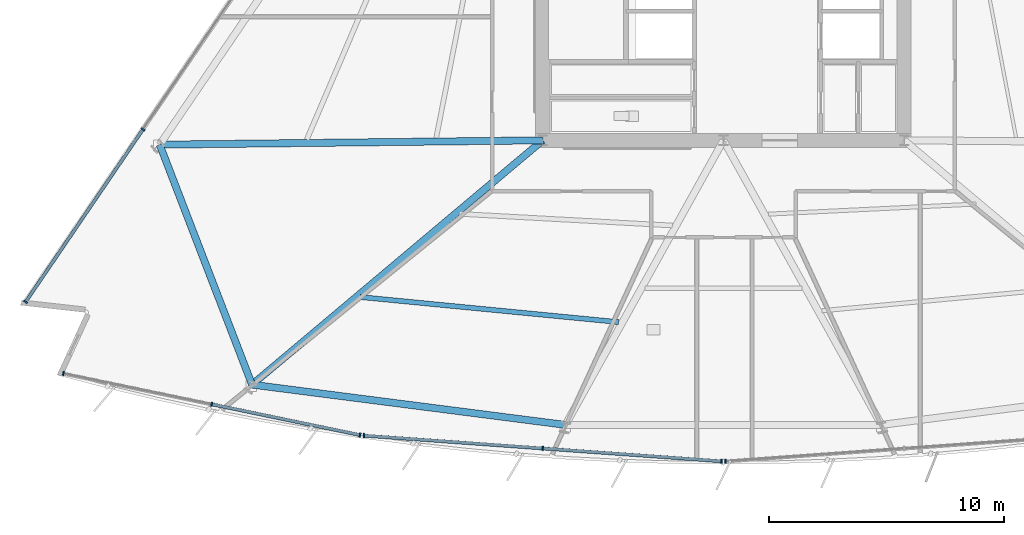
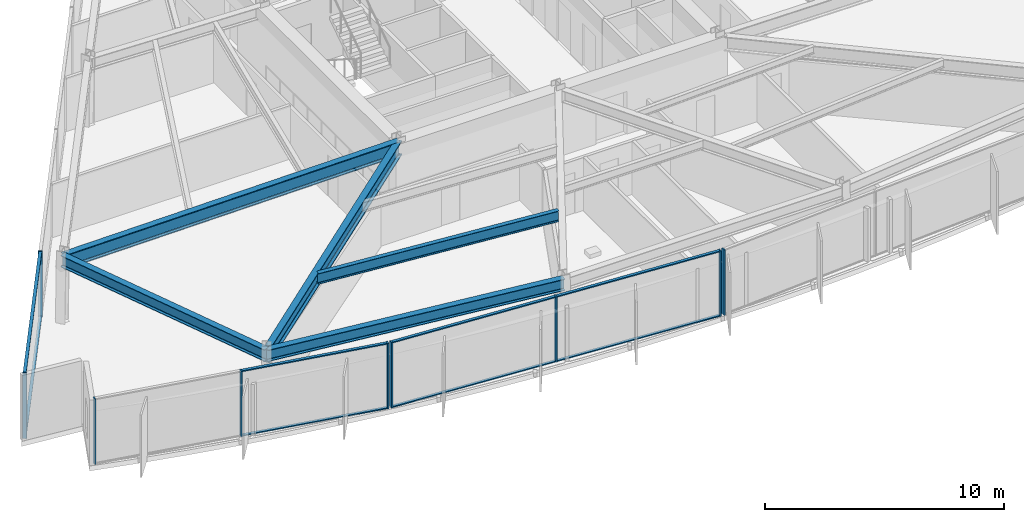
# One storey, part 2 of 18: 17 members, 5 beams, 4 elements without a shape of their own.
"""IFC4 building model written with IfcOpenShell, lengths in metres."""

import ifcopenshell
import ifcopenshell.guid

model = None  # the IFC model being written
_history = None  # IfcOwnerHistory: only IFC2X3 demands one
_inside = {}  # id of a spatial element -> (the spatial element, [elements in it])
_under = {}  # id of a project, library or spatial element -> (it, [spatial elements below it])
_declared = {}  # id of a project -> (the project, [libraries it declares])
_typed = {}  # id of a type object -> (the type object, [elements of that type])
_made_of = {}  # id of a material, layer set ... -> (it, [elements and type objects made of it])


def new_model(schema):
    """Start an empty IFC model of exactly this schema.

    Asked for "IFC4X3", IfcOpenShell would pick the latest addendum, in which some entities
    have other attributes; the version numbers below select the first issue.
    IFC2X3 requires an IfcOwnerHistory on every rooted entity: one is made here for all.
    """
    global model, _history
    if schema == "IFC4X3":
        model = ifcopenshell.file(schema_version=(4, 3, 0, 0))
    else:
        model = ifcopenshell.file(schema=schema)
    _inside.clear()
    _under.clear()
    _declared.clear()
    _typed.clear()
    _made_of.clear()
    _history = None
    if model.schema == "IFC2X3":
        org = make("IfcOrganization", Name="unknown")
        user = make(
            "IfcPersonAndOrganization",
            ThePerson=make("IfcPerson", FamilyName="unknown"),
            TheOrganization=org,
        )
        app = make(
            "IfcApplication",
            ApplicationDeveloper=org,
            Version="unknown",
            ApplicationFullName="unknown",
            ApplicationIdentifier="unknown",
        )
        _history = make(
            "IfcOwnerHistory",
            OwningUser=user,
            OwningApplication=app,
            ChangeAction="ADDED",
            CreationDate=0,
        )
    return model


def make(cls, **values):
    """One entity of the class cls with the attributes given. An attribute that is None is left unset."""
    return model.create_entity(
        cls, **{name: value for name, value in values.items() if value is not None}
    )


def rooted(cls, **values):
    """An entity with a GlobalId (a new one), such as an element, a storey or a relation."""
    return make(cls, GlobalId=ifcopenshell.guid.new(), OwnerHistory=_history, **values)


def si_unit(unit_type, name, prefix=None):
    """IfcSIUnit, for example si_unit("LENGTHUNIT", "METRE", prefix="MILLI")."""
    return make("IfcSIUnit", UnitType=unit_type, Prefix=prefix, Name=name)


def assignment(units):
    """IfcUnitAssignment: the units of a project."""
    return None if units is None else make("IfcUnitAssignment", Units=units)


def point(xyz):
    """IfcCartesianPoint."""
    return None if xyz is None else make("IfcCartesianPoint", Coordinates=xyz)


def direction(xyz):
    """IfcDirection."""
    return None if xyz is None else make("IfcDirection", DirectionRatios=xyz)


def frame(location, z_axis=None, x_axis=None):
    """IfcAxis2Placement3D, a coordinate frame: its origin and axes. An axis left out is left unset."""
    return make(
        "IfcAxis2Placement3D",
        Location=point(location),
        Axis=direction(z_axis),
        RefDirection=direction(x_axis),
    )


def frame_2d(location, x_axis=None):
    """IfcAxis2Placement2D, a coordinate frame in the plane: its origin and x axis."""
    return make(
        "IfcAxis2Placement2D", Location=point(location), RefDirection=direction(x_axis)
    )


def origin():
    """The frame at (0, 0, 0) with its axes left unset."""
    return frame((0.0, 0.0, 0.0))


def origin_2d():
    """The frame at (0, 0) in the plane with its x axis left unset."""
    return frame_2d((0.0, 0.0))


def place(relative_to, where):
    """IfcLocalPlacement: puts the frame where relative to a parent placement (None: the world)."""
    return make(
        "IfcLocalPlacement", PlacementRelTo=relative_to, RelativePlacement=where
    )


def context(
    kind, dimensions, precision=None, world=None, true_north=None, identifier=None
):
    """IfcGeometricRepresentationContext, for example the 3D "Model" context."""
    return make(
        "IfcGeometricRepresentationContext",
        ContextIdentifier=identifier,
        ContextType=kind,
        CoordinateSpaceDimension=dimensions,
        Precision=precision,
        WorldCoordinateSystem=world,
        TrueNorth=true_north,
    )


def subcontext(parent, identifier, kind, view, scale=None):
    """IfcGeometricRepresentationSubContext, for example "Body" below "Model"."""
    return make(
        "IfcGeometricRepresentationSubContext",
        ContextIdentifier=identifier,
        ContextType=kind,
        ParentContext=parent,
        TargetScale=scale,
        TargetView=view,
    )


def project(units=None, contexts=None):
    """IfcProject with its units and contexts."""
    return rooted(
        "IfcProject",
        Name="project",
        RepresentationContexts=contexts,
        UnitsInContext=assignment(units),
    )


def spatial(cls, under=None, at=None, **own):
    """A site, building, storey or space (cls), placed at a placement, below another one or the project."""
    s = rooted(cls, ObjectPlacement=at, **own)
    if under is not None:
        _under.setdefault(under.id(), (under, []))[1].append(s)
    return s


def profile(cls, at=None, kind="AREA", **sizes):
    """A parametric profile (cls). Its sizes go by their IFC names, for example OverallWidth=200.0."""
    return make(cls, ProfileType=kind, Position=at, **sizes)


def rectangle(**sizes):
    """IfcRectangleProfileDef."""
    return profile("IfcRectangleProfileDef", **sizes)


def i_section(**sizes):
    """IfcIShapeProfileDef."""
    return profile("IfcIShapeProfileDef", **sizes)


def extrude(swept, where, along, depth):
    """IfcExtrudedAreaSolid: the profile swept, set in the frame where, extruded along a direction by depth."""
    return make(
        "IfcExtrudedAreaSolid",
        SweptArea=swept,
        Position=where,
        ExtrudedDirection=direction(along),
        Depth=depth,
    )


def shape(context_of_items, identifier, shape_type, items):
    """IfcShapeRepresentation: the items that make up one representation, for example the "Body"."""
    return make(
        "IfcShapeRepresentation",
        ContextOfItems=context_of_items,
        RepresentationIdentifier=identifier,
        RepresentationType=shape_type,
        Items=items,
    )


def material(Name=None, Category=None):
    """IfcMaterial."""
    return make("IfcMaterial", Name=Name, Category=Category)


def material_profile(
    of_material, cross_section, Name=None, Category=None, Priority=None
):
    """IfcMaterialProfile: a cross section and its material."""
    return make(
        "IfcMaterialProfile",
        Name=Name,
        Material=of_material,
        Profile=cross_section,
        Priority=Priority,
        Category=Category,
    )


def profile_set(profiles, Name=None, composite=None):
    """IfcMaterialProfileSet."""
    return make(
        "IfcMaterialProfileSet",
        Name=Name,
        MaterialProfiles=profiles,
        CompositeProfile=composite,
    )


def made_of(thing, what):
    """Note that an element or type object is made of a material, layer set ...; save() writes the relation."""
    if what is not None:
        _made_of.setdefault(what.id(), (what, []))[1].append(thing)
    return thing


def type_object(cls, material=None, **own):
    """A type object (cls), such as IfcWallType, which elements share."""
    return made_of(rooted(cls, **own), material)


def element(
    cls,
    number,
    at=None,
    inside=None,
    cuts=None,
    type_object=None,
    material=None,
    context=None,
    identifier="Body",
    shape_type=None,
    held_by="IfcProductDefinitionShape",
    body=None,
    shapes=None,
    **own,
):
    """One element of the class cls, such as IfcWall. Its Tag is "e" and its number.

    at: its placement. inside: the storey or other place that contains it. cuts: it is an
    opening in that element (IfcRelVoidsElement). A single representation is given by context,
    identifier, shape_type and body (its items); several are given by shapes. held_by: the class
    of the entity that holds the representations. save() writes the other relations.
    """
    e = rooted(cls, Tag="e%d" % number, ObjectPlacement=at, **own)
    if body is not None:
        shapes = [shape(context, identifier, shape_type, body)]
    if shapes is not None:
        e.Representation = make(held_by, Representations=shapes)
    if inside is not None:
        _inside.setdefault(inside.id(), (inside, []))[1].append(e)
    if cuts is not None:
        rooted(
            "IfcRelVoidsElement", RelatingBuildingElement=cuts, RelatedOpeningElement=e
        )
    if type_object is not None:
        _typed.setdefault(type_object.id(), (type_object, []))[1].append(e)
    return made_of(e, material)


def aggregate(whole, parts):
    """IfcRelAggregates: a whole, such as a stair, and the parts it consists of."""
    return rooted("IfcRelAggregates", RelatingObject=whole, RelatedObjects=parts)


def save(model, path):
    """Write the relations noted so far, then the file.

    IfcRelAggregates (storeys below a building ...), IfcRelContainedInSpatialStructure (elements
    in a storey), IfcRelDefinesByType, IfcRelAssociatesMaterial and IfcRelDeclares: one each for
    every whole, place, type object, material and project.
    """
    for whole, parts in _under.values():
        aggregate(whole, parts)
    for where, things in _inside.values():
        rooted(
            "IfcRelContainedInSpatialStructure",
            RelatedElements=things,
            RelatingStructure=where,
        )
    for kind, things in _typed.values():
        rooted("IfcRelDefinesByType", RelatedObjects=things, RelatingType=kind)
    for what, things in _made_of.values():
        rooted("IfcRelAssociatesMaterial", RelatedObjects=things, RelatingMaterial=what)
    for by, libraries in _declared.values():
        rooted("IfcRelDeclares", RelatingContext=by, RelatedDefinitions=libraries)
    model.write(path)


model = new_model("IFC4")

# Units and contexts
model_context = context("Model", 3, precision=1e-05, world=origin(), true_north=direction((0.0, 1.0)))
body_context = subcontext(model_context, "Body", "Model", "MODEL_VIEW")
ifc_project = project(units=[si_unit("LENGTHUNIT", "METRE"), si_unit("AREAUNIT", "SQUARE_METRE"), si_unit("VOLUMEUNIT", "CUBIC_METRE"), si_unit("PLANEANGLEUNIT", "RADIAN"), si_unit("MASSUNIT", "GRAM", prefix="KILO")], contexts=[model_context])

# Site, building, storey
site_placement = place(None, origin())
site = spatial("IfcSite", under=ifc_project, at=site_placement, CompositionType="ELEMENT")
building_placement = place(site_placement, origin())
building = spatial("IfcBuilding", under=site, at=building_placement, Name="Savorim Split Tower", CompositionType="ELEMENT")
storey_placement = place(building_placement, frame((0.0, 0.0, 37.199951171875)))
storey = spatial("IfcBuildingStorey", under=building, at=storey_placement, Name="L09", CompositionType="ELEMENT", Elevation=37.199951171875)

# Beams
ifc_material_1 = material(Name="Steel S355", Category="steel")
ifc_material_profile_1 = material_profile(ifc_material_1, i_section(OverallWidth=0.2099609375, OverallDepth=0.550048828125, WebThickness=0.010986328125, FlangeThickness=0.01708984375, FilletRadius=0.02392578125, at=origin_2d()), Name="IPE 550")
ifc_profile_set_1 = profile_set([ifc_material_profile_1], Name="Steel S355")
beam_type_1 = type_object("IfcBeamType", Name="BM-JST-IPE550", PredefinedType="JOIST", material=ifc_profile_set_1)
beam_1_placement = place(storey_placement, frame((-15.468994140625, -16.078125, 3.074951171875), z_axis=(0.995332302755, -0.096507031308, 0.0), x_axis=(0.096507031308, 0.995332302755, 0.0)))
element("IfcBeam", 1, at=beam_1_placement, inside=storey, type_object=beam_type_1, Name="L09 Secondary Floor Joist JS-01", PredefinedType="JOIST", context=body_context, shape_type="SweptSolid", body=[
    extrude(i_section(OverallWidth=0.2099609375, OverallDepth=0.550048828125, WebThickness=0.010986328125, FlangeThickness=0.01708984375, FilletRadius=0.02392578125, at=origin_2d()), origin(), (0.0, 0.0, 1.0), 11.052490234375),
])
ifc_material_2 = material(Name="Steel S460", Category="steel")
ifc_material_profile_2 = material_profile(ifc_material_2, i_section(OverallWidth=0.303955078125, OverallDepth=0.716064453125, WebThickness=0.02099609375, FlangeThickness=0.0400390625, FilletRadius=0.027099609375, at=origin_2d()), Name="HE 700 M")
ifc_profile_set_2 = profile_set([ifc_material_profile_2], Name="Steel S460")
beam_type_2 = type_object("IfcBeamType", Name="BM-PRI-HEM700", PredefinedType="BEAM", material=ifc_profile_set_2)
beam_2_placement = place(storey_placement, frame((-20.087890625, -19.810546875, 2.991943359375), z_axis=(0.765559503325, 0.643365096092, 0.0), x_axis=(-0.643365096092, 0.765559503325, 0.0)))
element("IfcBeam", 2, at=beam_2_placement, inside=storey, type_object=beam_type_2, Name="L09 Primary Floor Girder RG-01", PredefinedType="BEAM", context=body_context, shape_type="SweptSolid", body=[
    extrude(i_section(OverallWidth=0.303955078125, OverallDepth=0.716064453125, WebThickness=0.02099609375, FlangeThickness=0.0400390625, FilletRadius=0.027099609375, at=origin_2d()), origin(), (0.0, 0.0, 1.0), 16.181640625),
])
beam_3_placement = place(storey_placement, frame((-24.022216796875, -9.583984375, 2.991943359375), z_axis=(0.999936409756, 0.011277253395, 0.0), x_axis=(-0.011277253395, 0.999936409756, 0.0)))
element("IfcBeam", 3, at=beam_3_placement, inside=storey, type_object=beam_type_2, Name="L09 Primary Floor Girder RG-10", PredefinedType="BEAM", context=body_context, shape_type="SweptSolid", body=[
    extrude(i_section(OverallWidth=0.303955078125, OverallDepth=0.716064453125, WebThickness=0.02099609375, FlangeThickness=0.0400390625, FilletRadius=0.027099609375, at=origin_2d()), origin(), (0.0, 0.0, 1.0), 16.3232421875),
])
ifc_material_profile_3 = material_profile(ifc_material_1, i_section(OverallWidth=0.300048828125, OverallDepth=0.590087890625, WebThickness=0.012939453125, FlangeThickness=0.02490234375, FilletRadius=0.027099609375, at=origin_2d()), Name="HEA 600")
ifc_profile_set_3 = profile_set([ifc_material_profile_3], Name="Steel S355")
beam_type_3 = type_object("IfcBeamType", Name="BM-SPN-HEA600", PredefinedType="SPANDREL", material=ifc_profile_set_3)
beam_4_placement = place(storey_placement, frame((-20.087890625, -19.810546875, 3.054931640625), z_axis=(0.991859542537, -0.127336749913, 0.0), x_axis=(0.127336749913, 0.991859542537, 0.0)))
element("IfcBeam", 4, at=beam_4_placement, inside=storey, type_object=beam_type_3, Name="L09 Perimeter Spandrel Beam 1", PredefinedType="SPANDREL", context=body_context, shape_type="SweptSolid", body=[
    extrude(i_section(OverallWidth=0.300048828125, OverallDepth=0.590087890625, WebThickness=0.012939453125, FlangeThickness=0.02490234375, FilletRadius=0.027099609375, at=origin_2d()), origin(), (0.0, 0.0, 1.0), 13.465087890625),
])
beam_5_placement = place(storey_placement, frame((-24.022216796875, -9.583984375, 3.054931640625), z_axis=(0.359061196697, -0.933314018445, 0.0), x_axis=(0.933314018445, 0.359061196697, 0.0)))
element("IfcBeam", 5, at=beam_5_placement, inside=storey, type_object=beam_type_3, Name="L09 Perimeter Spandrel Beam 10", PredefinedType="SPANDREL", context=body_context, shape_type="SweptSolid", body=[
    extrude(i_section(OverallWidth=0.300048828125, OverallDepth=0.590087890625, WebThickness=0.012939453125, FlangeThickness=0.02490234375, FilletRadius=0.027099609375, at=origin_2d()), origin(), (0.0, 0.0, 1.0), 10.957275390625),
])

# Curtain wall, members
ifc_material_3 = material(Name="Dark Ceramic-Fritted Insulated Glass", Category="glass")
curtain_wall_type = type_object("IfcCurtainWallType", Name="CW-TWR-FRIT-A", PredefinedType="NOTDEFINED", material=ifc_material_3)
curtain_wall_1_placement = place(storey_placement, origin())
curtain_wall_1 = element("IfcCurtainWall", 6, at=curtain_wall_1_placement, inside=storey, type_object=curtain_wall_type, Name="L09 Curtain Wall CW-L09-SF1", PredefinedType="NOTDEFINED")
ifc_material_4 = material(Name="Charcoal Anodised Aluminium", Category="aluminium")
ifc_material_profile_4 = material_profile(ifc_material_4, rectangle(XDim=0.179931640625, YDim=0.06494140625, at=origin_2d()), Name="ALU-M 180x65")
ifc_profile_set_4 = profile_set([ifc_material_profile_4], Name="Charcoal Anodised Aluminium")
member_type_1 = type_object("IfcMemberType", Name="CWM-180x65", PredefinedType="MULLION", material=ifc_profile_set_4)
member_1_placement = place(storey_placement, frame((-28.12841796875, -19.333740234375, 0.0), z_axis=(0.0, 0.0, 1.0), x_axis=(0.203210322793, 0.979135110549, 0.0)))
member_1 = element("IfcMember", 7, at=member_1_placement, type_object=member_type_1, Name="CW-02 mullion 1", PredefinedType="MULLION", context=body_context, shape_type="SweptSolid", body=[
    extrude(rectangle(XDim=0.179931640625, YDim=0.06494140625, at=origin_2d()), origin(), (0.0, 0.0, 1.0), 3.35009765625),
])
member_2_placement = place(storey_placement, frame((-21.807861328125, -20.6455078125, 0.0), z_axis=(0.0, 0.0, 1.0), x_axis=(0.203210322793, 0.979135110549, 0.0)))
member_2 = element("IfcMember", 8, at=member_2_placement, type_object=member_type_1, Name="CW-02 mullion 2", PredefinedType="MULLION", context=body_context, shape_type="SweptSolid", body=[
    extrude(rectangle(XDim=0.179931640625, YDim=0.06494140625, at=origin_2d()), origin(), (0.0, 0.0, 1.0), 3.35009765625),
])
member_3_placement = place(storey_placement, frame((-15.487548828125, -21.957275390625, 0.0), z_axis=(0.0, 0.0, 1.0), x_axis=(0.203210322793, 0.979135110549, 0.0)))
member_3 = element("IfcMember", 9, at=member_3_placement, type_object=member_type_1, Name="CW-02 mullion 3", PredefinedType="MULLION", context=body_context, shape_type="SweptSolid", body=[
    extrude(rectangle(XDim=0.179931640625, YDim=0.06494140625, at=origin_2d()), origin(), (0.0, 0.0, 1.0), 3.35009765625),
])

curtain_wall_2_placement = place(storey_placement, origin())
curtain_wall_2 = element("IfcCurtainWall", 10, at=curtain_wall_2_placement, inside=storey, type_object=curtain_wall_type, Name="L09 Curtain Wall CW-L09-SF2", PredefinedType="NOTDEFINED")
member_4_placement = place(storey_placement, frame((-15.320556640625, -21.98046875, 0.0), z_axis=(0.0, 0.0, 1.0), x_axis=(0.071560199658, 0.997436282589, 0.0)))
member_4 = element("IfcMember", 11, at=member_4_placement, type_object=member_type_1, Name="CW-02 mullion 1", PredefinedType="MULLION", context=body_context, shape_type="SweptSolid", body=[
    extrude(rectangle(XDim=0.179931640625, YDim=0.06494140625, at=origin_2d()), origin(), (0.0, 0.0, 1.0), 3.35009765625),
])
member_5_placement = place(storey_placement, frame((-7.7021484375, -22.527099609375, 0.0), z_axis=(0.0, 0.0, 1.0), x_axis=(0.071560199658, 0.997436282589, 0.0)))
member_5 = element("IfcMember", 12, at=member_5_placement, type_object=member_type_1, Name="CW-02 mullion 2", PredefinedType="MULLION", context=body_context, shape_type="SweptSolid", body=[
    extrude(rectangle(XDim=0.179931640625, YDim=0.06494140625, at=origin_2d()), origin(), (0.0, 0.0, 1.0), 3.35009765625),
])
member_6_placement = place(storey_placement, frame((-0.083740234375, -23.07373046875, 0.0), z_axis=(0.0, 0.0, 1.0), x_axis=(0.071560199658, 0.997436282589, 0.0)))
member_6 = element("IfcMember", 13, at=member_6_placement, type_object=member_type_1, Name="CW-02 mullion 3", PredefinedType="MULLION", context=body_context, shape_type="SweptSolid", body=[
    extrude(rectangle(XDim=0.179931640625, YDim=0.06494140625, at=origin_2d()), origin(), (0.0, 0.0, 1.0), 3.35009765625),
])

# Curtain wall, member
curtain_wall_3_placement = place(storey_placement, origin())
curtain_wall_3 = element("IfcCurtainWall", 14, at=curtain_wall_3_placement, inside=storey, type_object=curtain_wall_type, Name="L09 Curtain Wall CW-L09-SF3", PredefinedType="NOTDEFINED")
member_7_placement = place(storey_placement, frame((0.083740234375, -23.07373046875, 0.0), z_axis=(0.0, 0.0, 1.0), x_axis=(-0.071560199658, 0.997436282589, 0.0)))
member_7 = element("IfcMember", 15, at=member_7_placement, type_object=member_type_1, Name="CW-02 mullion 1", PredefinedType="MULLION", context=body_context, shape_type="SweptSolid", body=[
    extrude(rectangle(XDim=0.179931640625, YDim=0.06494140625, at=origin_2d()), origin(), (0.0, 0.0, 1.0), 3.35009765625),
])
aggregate(curtain_wall_3, [member_7])

# Curtain wall, members
curtain_wall_4_placement = place(storey_placement, origin())
curtain_wall_4 = element("IfcCurtainWall", 16, at=curtain_wall_4_placement, inside=storey, type_object=curtain_wall_type, Name="L09 Curtain Wall CW-L09-WEST", PredefinedType="NOTDEFINED")
member_8_placement = place(storey_placement, frame((-24.735107421875, -8.93408203125, 0.0), z_axis=(0.0, 0.0, 1.0), x_axis=(0.826820923165, -0.562465253164, 0.0)))
member_8 = element("IfcMember", 17, at=member_8_placement, type_object=member_type_1, Name="CW-02 mullion 4", PredefinedType="MULLION", context=body_context, shape_type="SweptSolid", body=[
    extrude(rectangle(XDim=0.179931640625, YDim=0.06494140625, at=origin_2d()), origin(), (0.0, 0.0, 1.0), 3.35009765625),
])
member_9_placement = place(storey_placement, frame((-29.73388671875, -16.2822265625, 0.0), z_axis=(0.0, 0.0, 1.0), x_axis=(0.826820923165, -0.562465253164, 0.0)))
member_9 = element("IfcMember", 18, at=member_9_placement, type_object=member_type_1, Name="CW-02 mullion 5", PredefinedType="MULLION", context=body_context, shape_type="SweptSolid", body=[
    extrude(rectangle(XDim=0.179931640625, YDim=0.06494140625, at=origin_2d()), origin(), (0.0, 0.0, 1.0), 3.35009765625),
])

# Member
ifc_material_profile_5 = material_profile(ifc_material_4, rectangle(XDim=0.139892578125, YDim=0.054931640625, at=origin_2d()), Name="ALU-T 140x55")
ifc_profile_set_5 = profile_set([ifc_material_profile_5], Name="Charcoal Anodised Aluminium")
member_type_2 = type_object("IfcMemberType", Name="CWT-140x55", PredefinedType="USERDEFINED", material=ifc_profile_set_5)
member_10_placement = place(storey_placement, frame((-21.776123046875, -20.652099609375, 0.027587890625), z_axis=(0.979133980901, -0.203215765741, 0.0), x_axis=(0.203215765741, 0.979133980901, 0.0)))
member_10 = element("IfcMember", 19, at=member_10_placement, type_object=member_type_2, Name="CW-02 transom 2.1", ObjectType="TRANSOM", PredefinedType="USERDEFINED", context=body_context, shape_type="SweptSolid", body=[
    extrude(rectangle(XDim=0.139892578125, YDim=0.054931640625, at=origin_2d()), origin(), (0.0, 0.0, 1.0), 6.39013671875),
])

member_11_placement = place(storey_placement, frame((-21.776123046875, -20.652099609375, 3.322509765625), z_axis=(0.979133980901, -0.203215765741, 0.0), x_axis=(0.203215765741, 0.979133980901, 0.0)))
member_11 = element("IfcMember", 20, at=member_11_placement, type_object=member_type_2, Name="CW-02 transom 2.2", ObjectType="TRANSOM", PredefinedType="USERDEFINED", context=body_context, shape_type="SweptSolid", body=[
    extrude(rectangle(XDim=0.139892578125, YDim=0.054931640625, at=origin_2d()), origin(), (0.0, 0.0, 1.0), 6.39013671875),
])

aggregate(curtain_wall_1, [member_1, member_2, member_3, member_10, member_11])

member_12_placement = place(storey_placement, frame((-15.2880859375, -21.98291015625, 0.027587890625), z_axis=(0.997437873969, -0.071538014879, 0.0), x_axis=(0.071538014879, 0.997437873969, 0.0)))
member_12 = element("IfcMember", 21, at=member_12_placement, type_object=member_type_2, Name="CW-02 transom 1.1", ObjectType="TRANSOM", PredefinedType="USERDEFINED", context=body_context, shape_type="SweptSolid", body=[
    extrude(rectangle(XDim=0.139892578125, YDim=0.054931640625, at=origin_2d()), origin(), (0.0, 0.0, 1.0), 7.57275390625),
])

member_13_placement = place(storey_placement, frame((-15.2880859375, -21.98291015625, 3.322509765625), z_axis=(0.997437873969, -0.071538014879, 0.0), x_axis=(0.071538014879, 0.997437873969, 0.0)))
member_13 = element("IfcMember", 22, at=member_13_placement, type_object=member_type_2, Name="CW-02 transom 1.2", ObjectType="TRANSOM", PredefinedType="USERDEFINED", context=body_context, shape_type="SweptSolid", body=[
    extrude(rectangle(XDim=0.139892578125, YDim=0.054931640625, at=origin_2d()), origin(), (0.0, 0.0, 1.0), 7.57275390625),
])

member_14_placement = place(storey_placement, frame((-7.669677734375, -22.529541015625, 0.027587890625), z_axis=(0.997437873969, -0.071538014879, 0.0), x_axis=(0.071538014879, 0.997437873969, 0.0)))
member_14 = element("IfcMember", 23, at=member_14_placement, type_object=member_type_2, Name="CW-02 transom 2.1", ObjectType="TRANSOM", PredefinedType="USERDEFINED", context=body_context, shape_type="SweptSolid", body=[
    extrude(rectangle(XDim=0.139892578125, YDim=0.054931640625, at=origin_2d()), origin(), (0.0, 0.0, 1.0), 7.57275390625),
])

member_15_placement = place(storey_placement, frame((-7.669677734375, -22.529541015625, 3.322509765625), z_axis=(0.997437873969, -0.071538014879, 0.0), x_axis=(0.071538014879, 0.997437873969, 0.0)))
member_15 = element("IfcMember", 24, at=member_15_placement, type_object=member_type_2, Name="CW-02 transom 2.2", ObjectType="TRANSOM", PredefinedType="USERDEFINED", context=body_context, shape_type="SweptSolid", body=[
    extrude(rectangle(XDim=0.139892578125, YDim=0.054931640625, at=origin_2d()), origin(), (0.0, 0.0, 1.0), 7.57275390625),
])

aggregate(curtain_wall_2, [member_4, member_5, member_6, member_12, member_13, member_14, member_15])

member_16_placement = place(storey_placement, frame((-24.75341796875, -8.9609375, 0.027587890625), z_axis=(-0.562460641037, -0.826824060659, 0.0), x_axis=(0.826824060659, -0.562460641037, 0.0)))
member_16 = element("IfcMember", 25, at=member_16_placement, type_object=member_type_2, Name="CW-02 transom 4.1", ObjectType="TRANSOM", PredefinedType="USERDEFINED", context=body_context, shape_type="SweptSolid", body=[
    extrude(rectangle(XDim=0.139892578125, YDim=0.054931640625, at=origin_2d()), origin(), (0.0, 0.0, 1.0), 8.822265625),
])

member_17_placement = place(storey_placement, frame((-24.75341796875, -8.9609375, 3.322509765625), z_axis=(-0.562460641037, -0.826824060659, 0.0), x_axis=(0.826824060659, -0.562460641037, 0.0)))
member_17 = element("IfcMember", 26, at=member_17_placement, type_object=member_type_2, Name="CW-02 transom 4.2", ObjectType="TRANSOM", PredefinedType="USERDEFINED", context=body_context, shape_type="SweptSolid", body=[
    extrude(rectangle(XDim=0.139892578125, YDim=0.054931640625, at=origin_2d()), origin(), (0.0, 0.0, 1.0), 8.822265625),
])

aggregate(curtain_wall_4, [member_8, member_9, member_16, member_17])

save(model, "model.ifc")
